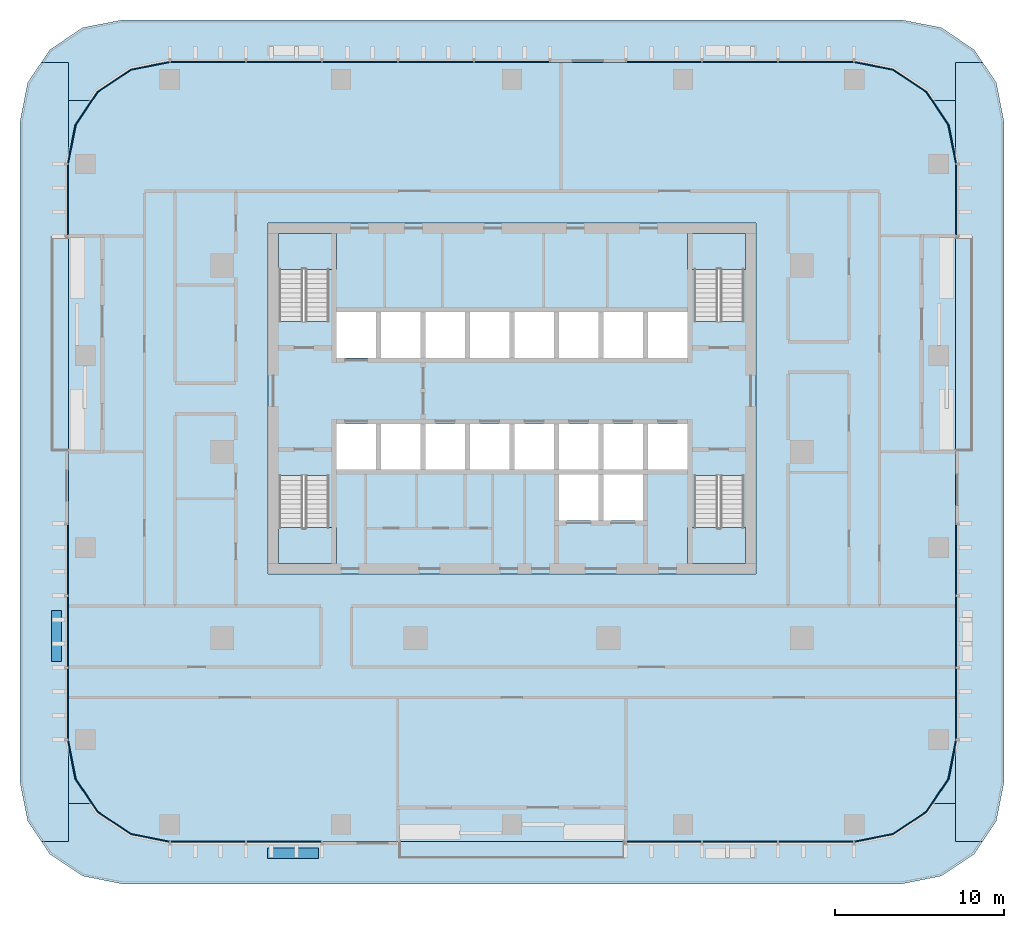
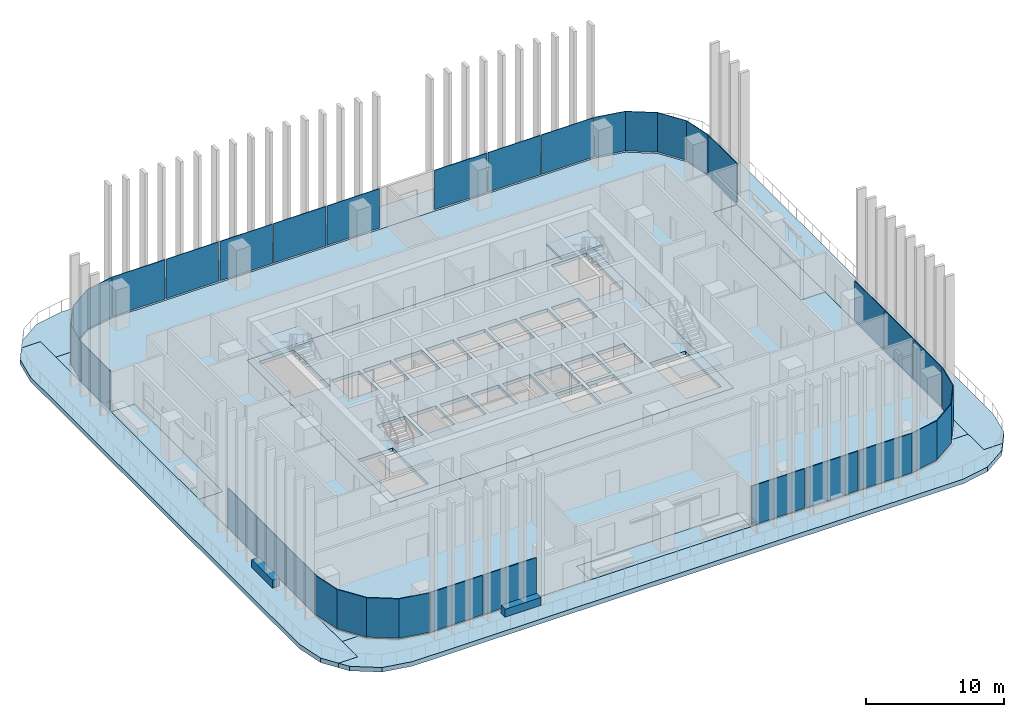
# One storey, part 6 of 16: 25 plates, 17 slabs, 2 walls, 16 elements without a shape of their own.
"""IFC4 building model written with IfcOpenShell, lengths in metres."""

from ifc_helpers import new_model, si_unit, direction, frame, frame_2d, origin, origin_2d, place, context, subcontext, project, spatial, polyline, rectangle, outline, extrude, material, layer, layer_set, type_object, element, aggregate, save


model = new_model("IFC4")

# Units and contexts
model_context = context("Model", 3, precision=1e-05, world=origin(), true_north=direction((0.0, 1.0)))
body_context = subcontext(model_context, "Body", "Model", "MODEL_VIEW")
ifc_project = project(units=[si_unit("LENGTHUNIT", "METRE"), si_unit("AREAUNIT", "SQUARE_METRE"), si_unit("VOLUMEUNIT", "CUBIC_METRE"), si_unit("PLANEANGLEUNIT", "RADIAN"), si_unit("MASSUNIT", "GRAM", prefix="KILO")], contexts=[model_context])

# Site, building, storey
site_placement = place(None, origin())
site = spatial("IfcSite", under=ifc_project, at=site_placement, CompositionType="ELEMENT")
building_placement = place(site_placement, origin())
building = spatial("IfcBuilding", under=site, at=building_placement, Name="Mopane Tessera Tower", CompositionType="ELEMENT")
storey_placement = place(building_placement, frame((0.0, 0.0, 157.0)))
storey = spatial("IfcBuildingStorey", under=building, at=storey_placement, Name="L31", CompositionType="ELEMENT", Elevation=157.0)

# Slab
ifc_material_1 = material(Name="Concrete C40/50", Category="concrete")
ifc_layer_1 = layer(ifc_material_1, 0.300048828125)
ifc_layer_set_1 = layer_set([ifc_layer_1], Name="Concrete C40/50")
slab_type_1 = type_object("IfcSlabType", Name="Core floor slab 300 mm", PredefinedType="FLOOR", material=ifc_layer_set_1)
slab_1_placement = place(storey_placement, frame((0.0, 0.0, -0.300048828125)))
element("IfcSlab", 1, at=slab_1_placement, inside=storey, type_object=slab_type_1, Name="L31 core floor slab", PredefinedType="FLOOR", context=body_context, shape_type="SweptSolid", body=[
    extrude(outline(polyline([(-14.39990234375, -7.199951171875), (14.39990234375, -7.199951171875), (14.39990234375, 13.5), (-14.39990234375, 13.5), (-14.39990234375, -7.199951171875)]), holes=[polyline([(-10.35009765625, -1.050048828125), (-8.02490234375, -1.050048828125), (-8.02490234375, 1.64990234375), (-10.35009765625, 1.64990234375), (-10.35009765625, -1.050048828125)]), polyline([(-7.72509765625, -1.050048828125), (-5.39990234375, -1.050048828125), (-5.39990234375, 1.64990234375), (-7.72509765625, 1.64990234375), (-7.72509765625, -1.050048828125)]), polyline([(-5.10009765625, -1.050048828125), (-2.77490234375, -1.050048828125), (-2.77490234375, 1.64990234375), (-5.10009765625, 1.64990234375), (-5.10009765625, -1.050048828125)]), polyline([(-2.47509765625, -1.050048828125), (-0.14990234375, -1.050048828125), (-0.14990234375, 1.64990234375), (-2.47509765625, 1.64990234375), (-2.47509765625, -1.050048828125)]), polyline([(0.14990234375, -1.050048828125), (2.47509765625, -1.050048828125), (2.47509765625, 1.64990234375), (0.14990234375, 1.64990234375), (0.14990234375, -1.050048828125)]), polyline([(2.77490234375, -1.050048828125), (5.10009765625, -1.050048828125), (5.10009765625, 1.64990234375), (2.77490234375, 1.64990234375), (2.77490234375, -1.050048828125)]), polyline([(5.39990234375, -1.050048828125), (7.72509765625, -1.050048828125), (7.72509765625, 1.64990234375), (5.39990234375, 1.64990234375), (5.39990234375, -1.050048828125)]), polyline([(8.02490234375, -1.050048828125), (10.35009765625, -1.050048828125), (10.35009765625, 1.64990234375), (8.02490234375, 1.64990234375), (8.02490234375, -1.050048828125)]), polyline([(-10.35009765625, 5.550048828125), (-8.02490234375, 5.550048828125), (-8.02490234375, 8.25), (-10.35009765625, 8.25), (-10.35009765625, 5.550048828125)]), polyline([(-7.72509765625, 5.550048828125), (-5.39990234375, 5.550048828125), (-5.39990234375, 8.25), (-7.72509765625, 8.25), (-7.72509765625, 5.550048828125)]), polyline([(-5.10009765625, 5.550048828125), (-2.77490234375, 5.550048828125), (-2.77490234375, 8.25), (-5.10009765625, 8.25), (-5.10009765625, 5.550048828125)]), polyline([(-2.47509765625, 5.550048828125), (-0.14990234375, 5.550048828125), (-0.14990234375, 8.25), (-2.47509765625, 8.25), (-2.47509765625, 5.550048828125)]), polyline([(0.14990234375, 5.550048828125), (2.47509765625, 5.550048828125), (2.47509765625, 8.25), (0.14990234375, 8.25), (0.14990234375, 5.550048828125)]), polyline([(2.77490234375, 5.550048828125), (5.10009765625, 5.550048828125), (5.10009765625, 8.25), (2.77490234375, 8.25), (2.77490234375, 5.550048828125)]), polyline([(5.39990234375, 5.550048828125), (7.72509765625, 5.550048828125), (7.72509765625, 8.25), (5.39990234375, 8.25), (5.39990234375, 5.550048828125)]), polyline([(8.02490234375, 5.550048828125), (10.35009765625, 5.550048828125), (10.35009765625, 8.25), (8.02490234375, 8.25), (8.02490234375, 5.550048828125)]), polyline([(2.77490234375, -4.050048828125), (5.10009765625, -4.050048828125), (5.10009765625, -1.35009765625), (2.77490234375, -1.35009765625), (2.77490234375, -4.050048828125)]), polyline([(5.39990234375, -4.050048828125), (7.72509765625, -4.050048828125), (7.72509765625, -1.35009765625), (5.39990234375, -1.35009765625), (5.39990234375, -4.050048828125)]), polyline([(-13.75, -1.405029296875), (-13.75, -6.60009765625), (-10.800048828125, -6.60009765625), (-10.800048828125, -1.405029296875), (-13.75, -1.405029296875)]), polyline([(-10.800048828125, 7.705078125), (-10.800048828125, 12.89990234375), (-13.75, 12.89990234375), (-13.75, 7.705078125), (-10.800048828125, 7.705078125)]), polyline([(10.75, -1.405029296875), (10.75, -6.60009765625), (13.699951171875, -6.60009765625), (13.699951171875, -1.405029296875), (10.75, -1.405029296875)]), polyline([(13.699951171875, 7.705078125), (13.699951171875, 12.89990234375), (10.75, 12.89990234375), (10.75, 7.705078125), (13.699951171875, 7.705078125)])]), origin(), (0.0, 0.0, 1.0), 0.300048828125),
])

# Stair, slab
ifc_material_2 = material(Name="Concrete C50/60", Category="concrete")
stair_type = type_object("IfcStairType", Name="Escape stair 1400 mm, riser 167 mm", PredefinedType="HALF_TURN_STAIR", material=ifc_material_2)
stair_1_placement = place(storey_placement, origin())
stair_1 = element("IfcStair", 2, at=stair_1_placement, inside=storey, type_object=stair_type, Name="L31 Escape stair south-west", PredefinedType="HALF_TURN_STAIR")
ifc_material_3 = material(Name="Concrete C50/60", Category="concrete")
ifc_layer_2 = layer(ifc_material_3, 0.199951171875)
ifc_layer_set_2 = layer_set([ifc_layer_2], Name="Concrete C50/60")
slab_type_2 = type_object("IfcSlabType", Name="Escape stair landing 200 mm", PredefinedType="LANDING", material=ifc_layer_set_2)
slab_2_placement = place(storey_placement, frame((0.0, 0.0, 1.800048828125)))
slab_2 = element("IfcSlab", 3, at=slab_2_placement, type_object=slab_type_2, Name="ST1 landing 1", PredefinedType="LANDING", context=body_context, shape_type="SweptSolid", body=[
    extrude(outline(polyline([(-13.800048828125, -4.47998046875), (-13.800048828125, -6.60009765625), (-10.35009765625, -6.60009765625), (-10.35009765625, -4.47998046875), (-13.800048828125, -4.47998046875)])), origin(), (0.0, 0.0, 1.0), 0.199951171875),
])
aggregate(stair_1, [slab_2])

stair_2_placement = place(storey_placement, origin())
stair_2 = element("IfcStair", 4, at=stair_2_placement, inside=storey, type_object=stair_type, Name="L31 Escape stair north-west", PredefinedType="HALF_TURN_STAIR")
slab_3_placement = place(storey_placement, frame((0.0, 0.0, 1.800048828125)))
slab_3 = element("IfcSlab", 5, at=slab_3_placement, type_object=slab_type_2, Name="ST2 landing 1", PredefinedType="LANDING", context=body_context, shape_type="SweptSolid", body=[
    extrude(outline(polyline([(-10.35009765625, 10.780029296875), (-10.35009765625, 12.89990234375), (-13.800048828125, 12.89990234375), (-13.800048828125, 10.780029296875), (-10.35009765625, 10.780029296875)])), origin(), (0.0, 0.0, 1.0), 0.199951171875),
])
aggregate(stair_2, [slab_3])

stair_3_placement = place(storey_placement, origin())
stair_3 = element("IfcStair", 6, at=stair_3_placement, inside=storey, type_object=stair_type, Name="L31 Escape stair south-east", PredefinedType="HALF_TURN_STAIR")
slab_4_placement = place(storey_placement, frame((0.0, 0.0, 1.800048828125)))
slab_4 = element("IfcSlab", 7, at=slab_4_placement, type_object=slab_type_2, Name="ST3 landing 1", PredefinedType="LANDING", context=body_context, shape_type="SweptSolid", body=[
    extrude(outline(polyline([(10.35009765625, -4.47998046875), (10.35009765625, -6.60009765625), (13.800048828125, -6.60009765625), (13.800048828125, -4.47998046875), (10.35009765625, -4.47998046875)])), origin(), (0.0, 0.0, 1.0), 0.199951171875),
])
aggregate(stair_3, [slab_4])

stair_4_placement = place(storey_placement, origin())
stair_4 = element("IfcStair", 8, at=stair_4_placement, inside=storey, type_object=stair_type, Name="L31 Escape stair north-east", PredefinedType="HALF_TURN_STAIR")
slab_5_placement = place(storey_placement, frame((0.0, 0.0, 1.800048828125)))
slab_5 = element("IfcSlab", 9, at=slab_5_placement, type_object=slab_type_2, Name="ST4 landing 1", PredefinedType="LANDING", context=body_context, shape_type="SweptSolid", body=[
    extrude(outline(polyline([(13.800048828125, 10.780029296875), (13.800048828125, 12.89990234375), (10.35009765625, 12.89990234375), (10.35009765625, 10.780029296875), (13.800048828125, 10.780029296875)])), origin(), (0.0, 0.0, 1.0), 0.199951171875),
])
aggregate(stair_4, [slab_5])

# Slabs
ifc_material_4 = material(Name="Concrete C40/50", Category="concrete")
ifc_layer_3 = layer(ifc_material_4, 0.39990234375)
ifc_layer_set_3 = layer_set([ifc_layer_3], Name="Concrete C40/50")
slab_type_3 = type_object("IfcSlabType", Name="Planted terrace slab 400 mm", PredefinedType="FLOOR", material=ifc_layer_set_3)
slab_6_placement = place(storey_placement, frame((0.0, 0.0, -0.39990234375)))
element("IfcSlab", 10, at=slab_6_placement, inside=storey, type_object=slab_type_3, Name="Terrace slab N1 L31", PredefinedType="FLOOR", context=body_context, shape_type="SweptSolid", body=[
    extrude(outline(polyline([(-26.199951171875, 12.75), (-26.199951171875, 0.0), (-24.199951171875, 0.0), (-24.199951171875, 12.75), (-26.199951171875, 12.75)])), origin(), (0.0, 0.0, 1.0), 0.39990234375),
])
slab_7_placement = place(storey_placement, frame((0.0, 0.0, -0.39990234375)))
element("IfcSlab", 11, at=slab_7_placement, inside=storey, type_object=slab_type_3, Name="Terrace slab N2 L31", PredefinedType="FLOOR", context=body_context, shape_type="SweptSolid", body=[
    extrude(outline(polyline([(-6.7333984375, -23.0), (6.7333984375, -23.0), (6.7333984375, -21.0), (-6.7333984375, -21.0), (-6.7333984375, -23.0)])), origin(), (0.0, 0.0, 1.0), 0.39990234375),
])
slab_8_placement = place(storey_placement, frame((0.0, 0.0, -0.39990234375)))
element("IfcSlab", 12, at=slab_8_placement, inside=storey, type_object=slab_type_3, Name="Terrace slab N3 L31", PredefinedType="FLOOR", context=body_context, shape_type="SweptSolid", body=[
    extrude(outline(polyline([(26.199951171875, 0.0), (26.199951171875, 12.75), (24.199951171875, 12.75), (24.199951171875, 0.0), (26.199951171875, 0.0)])), origin(), (0.0, 0.0, 1.0), 0.39990234375),
])
ifc_material_5 = material(Name="Concrete C40/50", Category="concrete")
ifc_layer_4 = layer(ifc_material_5, 0.39990234375)
ifc_layer_set_4 = layer_set([ifc_layer_4], Name="Concrete C40/50")
slab_type_4 = type_object("IfcSlabType", Name="Post-tensioned flat plate 400 mm", PredefinedType="FLOOR", material=ifc_layer_set_4)
slab_9_placement = place(storey_placement, frame((0.0, 0.0, -0.39990234375)))
element("IfcSlab", 13, at=slab_9_placement, inside=storey, type_object=slab_type_4, Name="Floor slab L31", PredefinedType="FLOOR", context=body_context, shape_type="SweptSolid", body=[
    extrude(outline(polyline([(-20.199951171875, -23.0), (-6.7333984375, -23.0), (-6.7333984375, -21.0), (6.7333984375, -21.0), (6.7333984375, -23.0), (20.199951171875, -23.0), (22.49609375, -22.543212890625), (24.442626953125, -21.24267578125), (25.7431640625, -19.296142578125), (26.199951171875, -17.0), (26.199951171875, 0.0), (24.199951171875, 0.0), (24.199951171875, 12.75), (26.199951171875, 12.75), (26.199951171875, 17.0), (25.7431640625, 19.296142578125), (24.442626953125, 21.24267578125), (22.49609375, 22.543212890625), (20.199951171875, 23.0), (-20.199951171875, 23.0), (-22.49609375, 22.543212890625), (-24.442626953125, 21.24267578125), (-25.7431640625, 19.296142578125), (-26.199951171875, 17.0), (-26.199951171875, 12.75), (-24.199951171875, 12.75), (-24.199951171875, 0.0), (-26.199951171875, 0.0), (-26.199951171875, -17.0), (-25.7431640625, -19.296142578125), (-24.442626953125, -21.24267578125), (-22.49609375, -22.543212890625), (-20.199951171875, -23.0)]), holes=[polyline([(14.39990234375, -7.199951171875), (-14.39990234375, -7.199951171875), (-14.39990234375, 13.5), (14.39990234375, 13.5), (14.39990234375, -7.199951171875)])]), origin(), (0.0, 0.0, 1.0), 0.39990234375),
])
ifc_material_6 = material(Name="Concrete C40/50", Category="concrete")
ifc_layer_5 = layer(ifc_material_6, 0.39990234375)
ifc_layer_set_5 = layer_set([ifc_layer_5], Name="Concrete C40/50")
slab_type_5 = type_object("IfcSlabType", Name="Setback roof terrace slab 400 mm", PredefinedType="ROOF", material=ifc_layer_set_5)
slab_10_placement = place(storey_placement, frame((0.0, 0.0, -0.39990234375)))
element("IfcSlab", 14, at=slab_10_placement, inside=storey, type_object=slab_type_5, Name="Setback terrace slab L31", PredefinedType="ROOF", context=body_context, shape_type="SweptSolid", body=[
    extrude(outline(polyline([(-27.788818359375, -23.0), (-26.199951171875, -23.0), (-26.199951171875, -17.0), (-26.199951171875, 17.0), (-26.199951171875, 23.0), (-27.788818359375, 23.0), (-28.59326171875, 21.796142578125), (-29.050048828125, 19.5), (-29.050048828125, -19.5), (-28.59326171875, -21.796142578125), (-27.788818359375, -23.0)])), origin(), (0.0, 0.0, 1.0), 0.39990234375),
])
slab_11_placement = place(storey_placement, frame((0.0, 0.0, -0.39990234375)))
element("IfcSlab", 15, at=slab_11_placement, inside=storey, type_object=slab_type_5, Name="Setback terrace slab L31", PredefinedType="ROOF", context=body_context, shape_type="SweptSolid", body=[
    extrude(outline(polyline([(-26.199951171875, -17.0), (-26.199951171875, -20.75), (-24.771728515625, -20.75), (-25.7431640625, -19.296142578125), (-26.199951171875, -17.0)])), origin(), (0.0, 0.0, 1.0), 0.39990234375),
])
slab_12_placement = place(storey_placement, frame((0.0, 0.0, -0.39990234375)))
element("IfcSlab", 16, at=slab_12_placement, inside=storey, type_object=slab_type_5, Name="Setback terrace slab L31", PredefinedType="ROOF", context=body_context, shape_type="SweptSolid", body=[
    extrude(outline(polyline([(-24.771728515625, 20.75), (-26.199951171875, 20.75), (-26.199951171875, 17.0), (-25.7431640625, 19.296142578125), (-24.771728515625, 20.75)])), origin(), (0.0, 0.0, 1.0), 0.39990234375),
])
slab_13_placement = place(storey_placement, frame((0.0, 0.0, -0.39990234375)))
element("IfcSlab", 17, at=slab_13_placement, inside=storey, type_object=slab_type_5, Name="Setback terrace slab L31", PredefinedType="ROOF", context=body_context, shape_type="SweptSolid", body=[
    extrude(outline(polyline([(-20.199951171875, -23.0), (-22.49609375, -22.543212890625), (-24.442626953125, -21.24267578125), (-24.771728515625, -20.75), (-26.199951171875, -20.75), (-26.199951171875, -23.0), (-27.788818359375, -23.0), (-27.292724609375, -23.74267578125), (-25.34619140625, -25.043212890625), (-23.050048828125, -25.5), (23.050048828125, -25.5), (25.34619140625, -25.043212890625), (27.292724609375, -23.74267578125), (27.788818359375, -23.0), (26.199951171875, -23.0), (26.199951171875, -20.75), (24.771728515625, -20.75), (24.442626953125, -21.24267578125), (22.49609375, -22.543212890625), (20.199951171875, -23.0), (-20.199951171875, -23.0)])), origin(), (0.0, 0.0, 1.0), 0.39990234375),
])
slab_14_placement = place(storey_placement, frame((0.0, 0.0, -0.39990234375)))
element("IfcSlab", 18, at=slab_14_placement, inside=storey, type_object=slab_type_5, Name="Setback terrace slab L31", PredefinedType="ROOF", context=body_context, shape_type="SweptSolid", body=[
    extrude(outline(polyline([(20.199951171875, 23.0), (22.49609375, 22.543212890625), (24.442626953125, 21.24267578125), (24.771728515625, 20.75), (26.199951171875, 20.75), (26.199951171875, 23.0), (27.788818359375, 23.0), (27.292724609375, 23.74267578125), (25.34619140625, 25.043212890625), (23.050048828125, 25.5), (-23.050048828125, 25.5), (-25.34619140625, 25.043212890625), (-27.292724609375, 23.74267578125), (-27.788818359375, 23.0), (-26.199951171875, 23.0), (-26.199951171875, 20.75), (-24.771728515625, 20.75), (-24.442626953125, 21.24267578125), (-22.49609375, 22.543212890625), (-20.199951171875, 23.0), (20.199951171875, 23.0)])), origin(), (0.0, 0.0, 1.0), 0.39990234375),
])
slab_15_placement = place(storey_placement, frame((0.0, 0.0, -0.39990234375)))
element("IfcSlab", 19, at=slab_15_placement, inside=storey, type_object=slab_type_5, Name="Setback terrace slab L31", PredefinedType="ROOF", context=body_context, shape_type="SweptSolid", body=[
    extrude(outline(polyline([(24.771728515625, -20.75), (26.199951171875, -20.75), (26.199951171875, -17.0), (25.7431640625, -19.296142578125), (24.771728515625, -20.75)])), origin(), (0.0, 0.0, 1.0), 0.39990234375),
])
slab_16_placement = place(storey_placement, frame((0.0, 0.0, -0.39990234375)))
element("IfcSlab", 20, at=slab_16_placement, inside=storey, type_object=slab_type_5, Name="Setback terrace slab L31", PredefinedType="ROOF", context=body_context, shape_type="SweptSolid", body=[
    extrude(outline(polyline([(26.199951171875, 17.0), (26.199951171875, 20.75), (24.771728515625, 20.75), (25.7431640625, 19.296142578125), (26.199951171875, 17.0)])), origin(), (0.0, 0.0, 1.0), 0.39990234375),
])
slab_17_placement = place(storey_placement, frame((0.0, 0.0, -0.39990234375)))
element("IfcSlab", 21, at=slab_17_placement, inside=storey, type_object=slab_type_5, Name="Setback terrace slab L31", PredefinedType="ROOF", context=body_context, shape_type="SweptSolid", body=[
    extrude(outline(polyline([(27.788818359375, 23.0), (26.199951171875, 23.0), (26.199951171875, 17.0), (26.199951171875, -17.0), (26.199951171875, -23.0), (27.788818359375, -23.0), (28.59326171875, -21.796142578125), (29.050048828125, -19.5), (29.050048828125, 19.5), (28.59326171875, 21.796142578125), (27.788818359375, 23.0)])), origin(), (0.0, 0.0, 1.0), 0.39990234375),
])

# Curtain wall, plates
ifc_material_7 = material(Name="Aluminium frame", Category="aluminium")
curtain_wall_type = type_object("IfcCurtainWallType", Name="Unitised curtain wall", PredefinedType="NOTDEFINED", material=ifc_material_7)
curtain_wall_1_placement = place(storey_placement, origin())
curtain_wall_1 = element("IfcCurtainWall", 22, at=curtain_wall_1_placement, inside=storey, type_object=curtain_wall_type, Name="e:cw:L31:S:0", PredefinedType="NOTDEFINED")
ifc_material_8 = material(Name="Clear laminated glass", Category="glass")
ifc_layer_6 = layer(ifc_material_8, 0.06005859375)
ifc_layer_set_6 = layer_set([ifc_layer_6], Name="Clear laminated glass")
plate_type = type_object("IfcPlateType", Name="Unitised glazed unit", PredefinedType="CURTAIN_PANEL", material=ifc_layer_set_6)
plate_1_placement = place(storey_placement, frame((-17.95556640625, -23.030029296875, 0.1201171875), z_axis=(0.0, 0.0, 1.0), x_axis=(1.0, 0.0, 0.0)))
plate_1 = element("IfcPlate", 23, at=plate_1_placement, type_object=plate_type, Name="e:cw:L31:S:0:pn0", PredefinedType="CURTAIN_PANEL", context=body_context, shape_type="SweptSolid", body=[
    extrude(rectangle(XDim=4.388916015625, YDim=0.06005859375, at=origin_2d()), origin(), (0.0, 0.0, 1.0), 3.47998046875),
])
plate_2_placement = place(storey_placement, frame((-13.466552734375, -23.030029296875, 0.1201171875), z_axis=(0.0, 0.0, 1.0), x_axis=(1.0, 0.0, 0.0)))
plate_2 = element("IfcPlate", 24, at=plate_2_placement, type_object=plate_type, Name="e:cw:L31:S:0:pn1", PredefinedType="CURTAIN_PANEL", context=body_context, shape_type="SweptSolid", body=[
    extrude(rectangle(XDim=4.388916015625, YDim=0.06005859375, at=origin_2d()), origin(), (0.0, 0.0, 1.0), 3.47998046875),
])
aggregate(curtain_wall_1, [plate_1, plate_2])

curtain_wall_2_placement = place(storey_placement, origin())
curtain_wall_2 = element("IfcCurtainWall", 25, at=curtain_wall_2_placement, inside=storey, type_object=curtain_wall_type, Name="e:cw:L31:S:6", PredefinedType="NOTDEFINED")
plate_3_placement = place(storey_placement, frame((8.977783203125, -23.030029296875, 0.1201171875), z_axis=(0.0, 0.0, 1.0), x_axis=(1.0, 0.0, 0.0)))
plate_3 = element("IfcPlate", 26, at=plate_3_placement, type_object=plate_type, Name="e:cw:L31:S:6:pn6", PredefinedType="CURTAIN_PANEL", context=body_context, shape_type="SweptSolid", body=[
    extrude(rectangle(XDim=4.388916015625, YDim=0.06005859375, at=origin_2d()), origin(), (0.0, 0.0, 1.0), 3.47998046875),
])
plate_4_placement = place(storey_placement, frame((13.466552734375, -23.030029296875, 0.1201171875), z_axis=(0.0, 0.0, 1.0), x_axis=(1.0, 0.0, 0.0)))
plate_4 = element("IfcPlate", 27, at=plate_4_placement, type_object=plate_type, Name="e:cw:L31:S:6:pn7", PredefinedType="CURTAIN_PANEL", context=body_context, shape_type="SweptSolid", body=[
    extrude(rectangle(XDim=4.388916015625, YDim=0.06005859375, at=origin_2d()), origin(), (0.0, 0.0, 1.0), 3.47998046875),
])
plate_5_placement = place(storey_placement, frame((17.95556640625, -23.030029296875, 0.1201171875), z_axis=(0.0, 0.0, 1.0), x_axis=(1.0, 0.0, 0.0)))
plate_5 = element("IfcPlate", 28, at=plate_5_placement, type_object=plate_type, Name="e:cw:L31:S:6:pn8", PredefinedType="CURTAIN_PANEL", context=body_context, shape_type="SweptSolid", body=[
    extrude(rectangle(XDim=4.388916015625, YDim=0.06005859375, at=origin_2d()), origin(), (0.0, 0.0, 1.0), 3.47998046875),
])
aggregate(curtain_wall_2, [plate_3, plate_4, plate_5])

# Curtain wall, plate
curtain_wall_3_placement = place(storey_placement, origin())
curtain_wall_3 = element("IfcCurtainWall", 29, at=curtain_wall_3_placement, inside=storey, type_object=curtain_wall_type, Name="e:cw:L31:CS", PredefinedType="NOTDEFINED")
plate_6_placement = place(storey_placement, frame((0.0, 0.0, 0.1201171875)))
plate_6 = element("IfcPlate", 30, at=plate_6_placement, type_object=plate_type, Name="e:cw:L31:CS:pn", PredefinedType="CURTAIN_PANEL", context=body_context, shape_type="SweptSolid", body=[
    extrude(outline(polyline([(20.199951171875, -23.0), (22.49609375, -22.543212890625), (24.442626953125, -21.24267578125), (25.7431640625, -19.296142578125), (26.199951171875, -17.0), (26.260009765625, -17.0), (25.798828125, -19.319091796875), (24.485107421875, -21.28515625), (22.51904296875, -22.5986328125), (20.199951171875, -23.06005859375), (20.199951171875, -23.0)])), origin(), (0.0, 0.0, 1.0), 3.47998046875),
])
aggregate(curtain_wall_3, [plate_6])

# Curtain wall, plates
curtain_wall_4_placement = place(storey_placement, origin())
curtain_wall_4 = element("IfcCurtainWall", 31, at=curtain_wall_4_placement, inside=storey, type_object=curtain_wall_type, Name="e:cw:L31:E:0", PredefinedType="NOTDEFINED")
plate_7_placement = place(storey_placement, frame((26.22998046875, -14.875, 0.1201171875), z_axis=(0.0, 0.0, 1.0), x_axis=(0.0, 1.0, 0.0)))
plate_7 = element("IfcPlate", 32, at=plate_7_placement, type_object=plate_type, Name="e:cw:L31:E:0:pn0", PredefinedType="CURTAIN_PANEL", context=body_context, shape_type="SweptSolid", body=[
    extrude(rectangle(XDim=4.14990234375, YDim=0.06005859375, at=origin_2d()), origin(), (0.0, 0.0, 1.0), 3.47998046875),
])
plate_8_placement = place(storey_placement, frame((26.22998046875, -10.625, 0.1201171875), z_axis=(0.0, 0.0, 1.0), x_axis=(0.0, 1.0, 0.0)))
plate_8 = element("IfcPlate", 33, at=plate_8_placement, type_object=plate_type, Name="e:cw:L31:E:0:pn1", PredefinedType="CURTAIN_PANEL", context=body_context, shape_type="SweptSolid", body=[
    extrude(rectangle(XDim=4.14990234375, YDim=0.06005859375, at=origin_2d()), origin(), (0.0, 0.0, 1.0), 3.47998046875),
])
plate_9_placement = place(storey_placement, frame((26.22998046875, -6.375, 0.1201171875), z_axis=(0.0, 0.0, 1.0), x_axis=(0.0, 1.0, 0.0)))
plate_9 = element("IfcPlate", 34, at=plate_9_placement, type_object=plate_type, Name="e:cw:L31:E:0:pn2", PredefinedType="CURTAIN_PANEL", context=body_context, shape_type="SweptSolid", body=[
    extrude(rectangle(XDim=4.14990234375, YDim=0.06005859375, at=origin_2d()), origin(), (0.0, 0.0, 1.0), 3.47998046875),
])
aggregate(curtain_wall_4, [plate_7, plate_8, plate_9])

# Curtain wall, plate
curtain_wall_5_placement = place(storey_placement, origin())
curtain_wall_5 = element("IfcCurtainWall", 35, at=curtain_wall_5_placement, inside=storey, type_object=curtain_wall_type, Name="e:cw:L31:E:7", PredefinedType="NOTDEFINED")
plate_10_placement = place(storey_placement, frame((26.22998046875, 14.875, 0.1201171875), z_axis=(0.0, 0.0, 1.0), x_axis=(0.0, 1.0, 0.0)))
plate_10 = element("IfcPlate", 36, at=plate_10_placement, type_object=plate_type, Name="e:cw:L31:E:7:pn7", PredefinedType="CURTAIN_PANEL", context=body_context, shape_type="SweptSolid", body=[
    extrude(rectangle(XDim=4.14990234375, YDim=0.06005859375, at=origin_2d()), origin(), (0.0, 0.0, 1.0), 3.47998046875),
])
aggregate(curtain_wall_5, [plate_10])

curtain_wall_6_placement = place(storey_placement, origin())
curtain_wall_6 = element("IfcCurtainWall", 37, at=curtain_wall_6_placement, inside=storey, type_object=curtain_wall_type, Name="e:cw:L31:CE", PredefinedType="NOTDEFINED")
plate_11_placement = place(storey_placement, frame((0.0, 0.0, 0.1201171875)))
plate_11 = element("IfcPlate", 38, at=plate_11_placement, type_object=plate_type, Name="e:cw:L31:CE:pn", PredefinedType="CURTAIN_PANEL", context=body_context, shape_type="SweptSolid", body=[
    extrude(outline(polyline([(26.199951171875, 17.0), (25.7431640625, 19.296142578125), (24.442626953125, 21.24267578125), (22.49609375, 22.543212890625), (20.199951171875, 23.0), (20.199951171875, 23.06005859375), (22.51904296875, 22.5986328125), (24.485107421875, 21.28515625), (25.798828125, 19.319091796875), (26.260009765625, 17.0), (26.199951171875, 17.0)])), origin(), (0.0, 0.0, 1.0), 3.47998046875),
])
aggregate(curtain_wall_6, [plate_11])

# Curtain wall, plates
curtain_wall_7_placement = place(storey_placement, origin())
curtain_wall_7 = element("IfcCurtainWall", 39, at=curtain_wall_7_placement, inside=storey, type_object=curtain_wall_type, Name="e:cw:L31:N:0", PredefinedType="NOTDEFINED")
plate_12_placement = place(storey_placement, frame((17.95556640625, 23.030029296875, 0.1201171875), z_axis=(0.0, 0.0, 1.0), x_axis=(-1.0, 0.0, 0.0)))
plate_12 = element("IfcPlate", 40, at=plate_12_placement, type_object=plate_type, Name="e:cw:L31:N:0:pn0", PredefinedType="CURTAIN_PANEL", context=body_context, shape_type="SweptSolid", body=[
    extrude(rectangle(XDim=4.388916015625, YDim=0.06005859375, at=origin_2d()), origin(), (0.0, 0.0, 1.0), 3.47998046875),
])
plate_13_placement = place(storey_placement, frame((13.466552734375, 23.030029296875, 0.1201171875), z_axis=(0.0, 0.0, 1.0), x_axis=(-1.0, 0.0, 0.0)))
plate_13 = element("IfcPlate", 41, at=plate_13_placement, type_object=plate_type, Name="e:cw:L31:N:0:pn1", PredefinedType="CURTAIN_PANEL", context=body_context, shape_type="SweptSolid", body=[
    extrude(rectangle(XDim=4.388916015625, YDim=0.06005859375, at=origin_2d()), origin(), (0.0, 0.0, 1.0), 3.47998046875),
])
plate_14_placement = place(storey_placement, frame((8.977783203125, 23.030029296875, 0.1201171875), z_axis=(0.0, 0.0, 1.0), x_axis=(-1.0, 0.0, 0.0)))
plate_14 = element("IfcPlate", 42, at=plate_14_placement, type_object=plate_type, Name="e:cw:L31:N:0:pn2", PredefinedType="CURTAIN_PANEL", context=body_context, shape_type="SweptSolid", body=[
    extrude(rectangle(XDim=4.388916015625, YDim=0.06005859375, at=origin_2d()), origin(), (0.0, 0.0, 1.0), 3.47998046875),
])
aggregate(curtain_wall_7, [plate_12, plate_13, plate_14])

curtain_wall_8_placement = place(storey_placement, origin())
curtain_wall_8 = element("IfcCurtainWall", 43, at=curtain_wall_8_placement, inside=storey, type_object=curtain_wall_type, Name="e:cw:L31:N:4", PredefinedType="NOTDEFINED")
plate_15_placement = place(storey_placement, frame((0.0, 23.030029296875, 0.1201171875), z_axis=(0.0, 0.0, 1.0), x_axis=(-1.0, 0.0, 0.0)))
plate_15 = element("IfcPlate", 44, at=plate_15_placement, type_object=plate_type, Name="e:cw:L31:N:4:pn4", PredefinedType="CURTAIN_PANEL", context=body_context, shape_type="SweptSolid", body=[
    extrude(rectangle(XDim=4.388916015625, YDim=0.06005859375, at=origin_2d()), origin(), (0.0, 0.0, 1.0), 3.47998046875),
])
plate_16_placement = place(storey_placement, frame((-4.48876953125, 23.030029296875, 0.1201171875), z_axis=(0.0, 0.0, 1.0), x_axis=(-1.0, 0.0, 0.0)))
plate_16 = element("IfcPlate", 45, at=plate_16_placement, type_object=plate_type, Name="e:cw:L31:N:4:pn5", PredefinedType="CURTAIN_PANEL", context=body_context, shape_type="SweptSolid", body=[
    extrude(rectangle(XDim=4.388916015625, YDim=0.06005859375, at=origin_2d()), origin(), (0.0, 0.0, 1.0), 3.47998046875),
])
plate_17_placement = place(storey_placement, frame((-8.977783203125, 23.030029296875, 0.1201171875), z_axis=(0.0, 0.0, 1.0), x_axis=(-1.0, 0.0, 0.0)))
plate_17 = element("IfcPlate", 46, at=plate_17_placement, type_object=plate_type, Name="e:cw:L31:N:4:pn6", PredefinedType="CURTAIN_PANEL", context=body_context, shape_type="SweptSolid", body=[
    extrude(rectangle(XDim=4.388916015625, YDim=0.06005859375, at=origin_2d()), origin(), (0.0, 0.0, 1.0), 3.47998046875),
])
plate_18_placement = place(storey_placement, frame((-13.466552734375, 23.030029296875, 0.1201171875), z_axis=(0.0, 0.0, 1.0), x_axis=(-1.0, 0.0, 0.0)))
plate_18 = element("IfcPlate", 47, at=plate_18_placement, type_object=plate_type, Name="e:cw:L31:N:4:pn7", PredefinedType="CURTAIN_PANEL", context=body_context, shape_type="SweptSolid", body=[
    extrude(rectangle(XDim=4.388916015625, YDim=0.06005859375, at=origin_2d()), origin(), (0.0, 0.0, 1.0), 3.47998046875),
])
plate_19_placement = place(storey_placement, frame((-17.95556640625, 23.030029296875, 0.1201171875), z_axis=(0.0, 0.0, 1.0), x_axis=(-1.0, 0.0, 0.0)))
plate_19 = element("IfcPlate", 48, at=plate_19_placement, type_object=plate_type, Name="e:cw:L31:N:4:pn8", PredefinedType="CURTAIN_PANEL", context=body_context, shape_type="SweptSolid", body=[
    extrude(rectangle(XDim=4.388916015625, YDim=0.06005859375, at=origin_2d()), origin(), (0.0, 0.0, 1.0), 3.47998046875),
])
aggregate(curtain_wall_8, [plate_15, plate_16, plate_17, plate_18, plate_19])

# Curtain wall, plate
curtain_wall_9_placement = place(storey_placement, origin())
curtain_wall_9 = element("IfcCurtainWall", 49, at=curtain_wall_9_placement, inside=storey, type_object=curtain_wall_type, Name="e:cw:L31:CN", PredefinedType="NOTDEFINED")
plate_20_placement = place(storey_placement, frame((0.0, 0.0, 0.1201171875)))
plate_20 = element("IfcPlate", 50, at=plate_20_placement, type_object=plate_type, Name="e:cw:L31:CN:pn", PredefinedType="CURTAIN_PANEL", context=body_context, shape_type="SweptSolid", body=[
    extrude(outline(polyline([(-20.199951171875, 23.0), (-22.49609375, 22.543212890625), (-24.442626953125, 21.24267578125), (-25.7431640625, 19.296142578125), (-26.199951171875, 17.0), (-26.260009765625, 17.0), (-25.798828125, 19.319091796875), (-24.485107421875, 21.28515625), (-22.51904296875, 22.5986328125), (-20.199951171875, 23.06005859375), (-20.199951171875, 23.0)])), origin(), (0.0, 0.0, 1.0), 3.47998046875),
])
aggregate(curtain_wall_9, [plate_20])

curtain_wall_10_placement = place(storey_placement, origin())
curtain_wall_10 = element("IfcCurtainWall", 51, at=curtain_wall_10_placement, inside=storey, type_object=curtain_wall_type, Name="e:cw:L31:W:0", PredefinedType="NOTDEFINED")
plate_21_placement = place(storey_placement, frame((-26.22998046875, 14.875, 0.1201171875), z_axis=(0.0, 0.0, 1.0), x_axis=(0.0, -1.0, 0.0)))
plate_21 = element("IfcPlate", 52, at=plate_21_placement, type_object=plate_type, Name="e:cw:L31:W:0:pn0", PredefinedType="CURTAIN_PANEL", context=body_context, shape_type="SweptSolid", body=[
    extrude(rectangle(XDim=4.14990234375, YDim=0.06005859375, at=origin_2d()), origin(), (0.0, 0.0, 1.0), 3.47998046875),
])
aggregate(curtain_wall_10, [plate_21])

# Curtain wall, plates
curtain_wall_11_placement = place(storey_placement, origin())
curtain_wall_11 = element("IfcCurtainWall", 53, at=curtain_wall_11_placement, inside=storey, type_object=curtain_wall_type, Name="e:cw:L31:W:5", PredefinedType="NOTDEFINED")
plate_22_placement = place(storey_placement, frame((-26.22998046875, -6.375, 0.1201171875), z_axis=(0.0, 0.0, 1.0), x_axis=(0.0, -1.0, 0.0)))
plate_22 = element("IfcPlate", 54, at=plate_22_placement, type_object=plate_type, Name="e:cw:L31:W:5:pn5", PredefinedType="CURTAIN_PANEL", context=body_context, shape_type="SweptSolid", body=[
    extrude(rectangle(XDim=4.14990234375, YDim=0.06005859375, at=origin_2d()), origin(), (0.0, 0.0, 1.0), 3.47998046875),
])
plate_23_placement = place(storey_placement, frame((-26.22998046875, -10.625, 0.1201171875), z_axis=(0.0, 0.0, 1.0), x_axis=(0.0, -1.0, 0.0)))
plate_23 = element("IfcPlate", 55, at=plate_23_placement, type_object=plate_type, Name="e:cw:L31:W:5:pn6", PredefinedType="CURTAIN_PANEL", context=body_context, shape_type="SweptSolid", body=[
    extrude(rectangle(XDim=4.14990234375, YDim=0.06005859375, at=origin_2d()), origin(), (0.0, 0.0, 1.0), 3.47998046875),
])
plate_24_placement = place(storey_placement, frame((-26.22998046875, -14.875, 0.1201171875), z_axis=(0.0, 0.0, 1.0), x_axis=(0.0, -1.0, 0.0)))
plate_24 = element("IfcPlate", 56, at=plate_24_placement, type_object=plate_type, Name="e:cw:L31:W:5:pn7", PredefinedType="CURTAIN_PANEL", context=body_context, shape_type="SweptSolid", body=[
    extrude(rectangle(XDim=4.14990234375, YDim=0.06005859375, at=origin_2d()), origin(), (0.0, 0.0, 1.0), 3.47998046875),
])
aggregate(curtain_wall_11, [plate_22, plate_23, plate_24])

# Curtain wall, plate
curtain_wall_12_placement = place(storey_placement, origin())
curtain_wall_12 = element("IfcCurtainWall", 57, at=curtain_wall_12_placement, inside=storey, type_object=curtain_wall_type, Name="e:cw:L31:CW", PredefinedType="NOTDEFINED")
plate_25_placement = place(storey_placement, frame((0.0, 0.0, 0.1201171875)))
plate_25 = element("IfcPlate", 58, at=plate_25_placement, type_object=plate_type, Name="e:cw:L31:CW:pn", PredefinedType="CURTAIN_PANEL", context=body_context, shape_type="SweptSolid", body=[
    extrude(outline(polyline([(-26.199951171875, -17.0), (-25.7431640625, -19.296142578125), (-24.442626953125, -21.24267578125), (-22.49609375, -22.543212890625), (-20.199951171875, -23.0), (-20.199951171875, -23.06005859375), (-22.51904296875, -22.5986328125), (-24.485107421875, -21.28515625), (-25.798828125, -19.319091796875), (-26.260009765625, -17.0), (-26.199951171875, -17.0)])), origin(), (0.0, 0.0, 1.0), 3.47998046875),
])
aggregate(curtain_wall_12, [plate_25])

# Walls
ifc_material_9 = material(Name="Reinforced concrete C32/40 with waterproofing", Category="concrete")
ifc_layer_7 = layer(ifc_material_9, 0.60009765625)
ifc_layer_set_7 = layer_set([ifc_layer_7], Name="Reinforced concrete C32/40 with waterproofing")
wall_type = type_object("IfcWallType", Name="Planter trough 3000 x 600", PredefinedType="STANDARD", material=ifc_layer_set_7)
for number, where, z_axis, x_axis, name in (
    (59, (-14.427978515625, -23.699951171875, 0.0), (0.0, 0.0, 1.0), (1.0, 0.0, 0.0), "e:sp:L31:S0"),
    (60, (-26.89990234375, -9.3798828125, 0.0), (0.0, 0.0, 1.0), (0.0, -1.0, 0.0), "e:sp:L31:W1"),
):
    element("IfcWall", number, at=place(storey_placement, frame(where, z_axis=z_axis, x_axis=x_axis)), inside=storey, type_object=wall_type, Name=name, PredefinedType="STANDARD", context=body_context, shape_type="SweptSolid", body=[
        extrude(rectangle(XDim=3.0, YDim=0.60009765625, at=frame_2d((1.5, 0.0))), origin(), (0.0, 0.0, 1.0), 0.699951171875),
    ])

save(model, "model.ifc")
